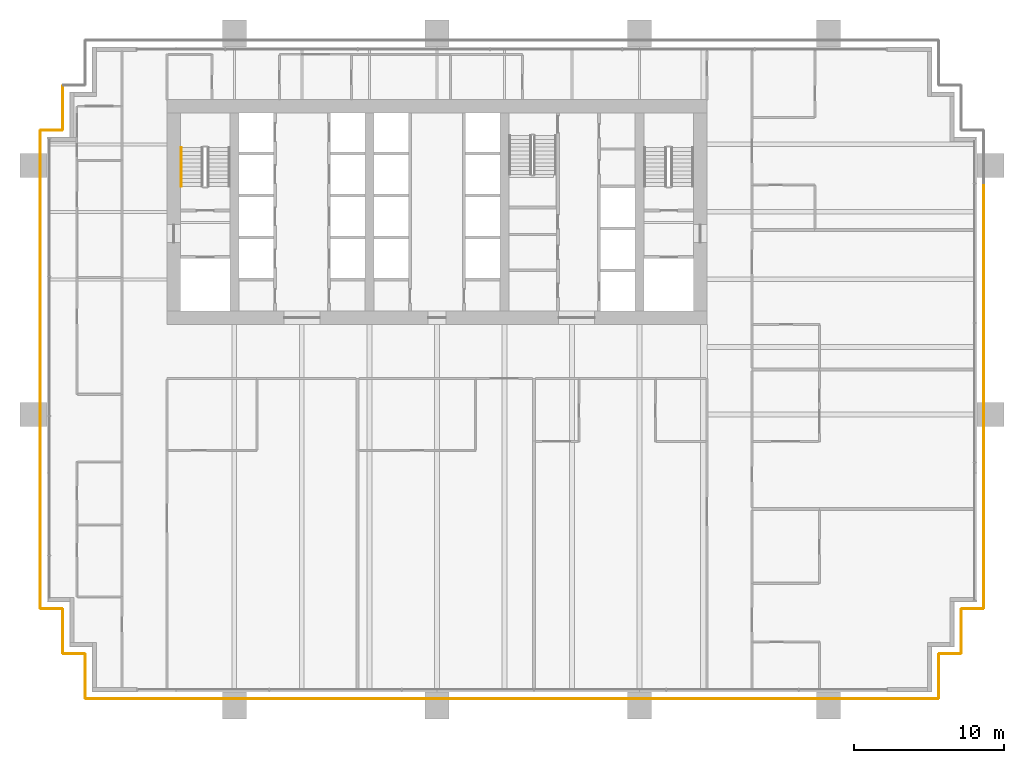
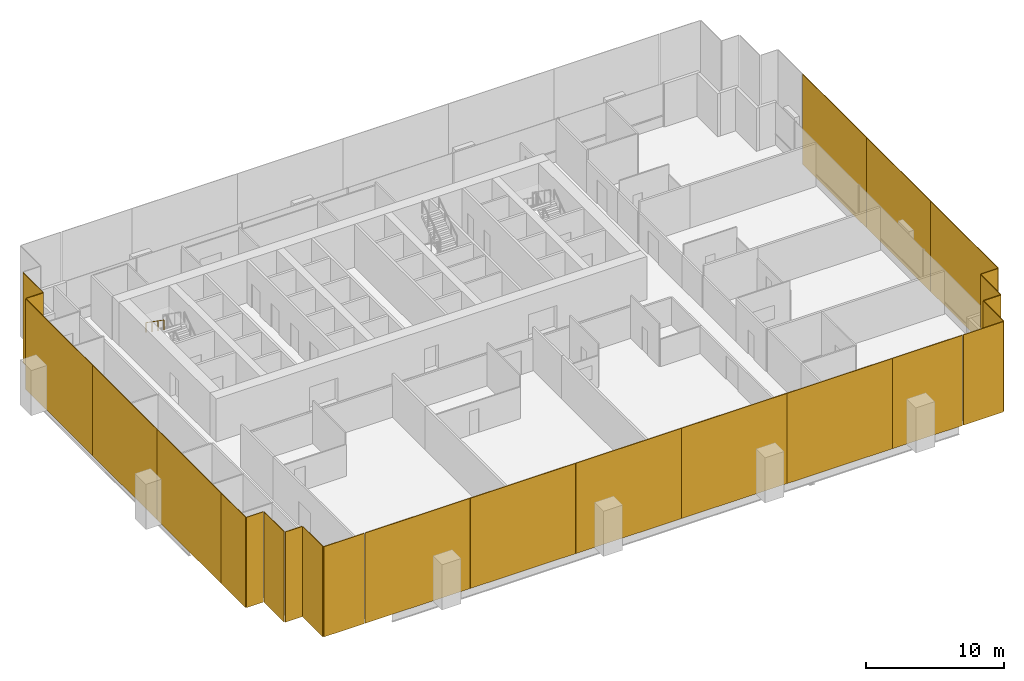
# One storey, part 17 of 19: 25 coverings, 1 railing.
"""IFC4 building model written with IfcOpenShell, lengths in metres."""

import ifcopenshell
import ifcopenshell.guid

model = None  # the IFC model being written
_history = None  # IfcOwnerHistory: only IFC2X3 demands one
_inside = {}  # id of a spatial element -> (the spatial element, [elements in it])
_under = {}  # id of a project, library or spatial element -> (it, [spatial elements below it])
_declared = {}  # id of a project -> (the project, [libraries it declares])
_typed = {}  # id of a type object -> (the type object, [elements of that type])
_made_of = {}  # id of a material, layer set ... -> (it, [elements and type objects made of it])


def new_model(schema):
    """Start an empty IFC model of exactly this schema.

    Asked for "IFC4X3", IfcOpenShell would pick the latest addendum, in which some entities
    have other attributes; the version numbers below select the first issue.
    IFC2X3 requires an IfcOwnerHistory on every rooted entity: one is made here for all.
    """
    global model, _history
    if schema == "IFC4X3":
        model = ifcopenshell.file(schema_version=(4, 3, 0, 0))
    else:
        model = ifcopenshell.file(schema=schema)
    _inside.clear()
    _under.clear()
    _declared.clear()
    _typed.clear()
    _made_of.clear()
    _history = None
    if model.schema == "IFC2X3":
        org = make("IfcOrganization", Name="unknown")
        user = make(
            "IfcPersonAndOrganization",
            ThePerson=make("IfcPerson", FamilyName="unknown"),
            TheOrganization=org,
        )
        app = make(
            "IfcApplication",
            ApplicationDeveloper=org,
            Version="unknown",
            ApplicationFullName="unknown",
            ApplicationIdentifier="unknown",
        )
        _history = make(
            "IfcOwnerHistory",
            OwningUser=user,
            OwningApplication=app,
            ChangeAction="ADDED",
            CreationDate=0,
        )
    return model


def make(cls, **values):
    """One entity of the class cls with the attributes given. An attribute that is None is left unset."""
    return model.create_entity(
        cls, **{name: value for name, value in values.items() if value is not None}
    )


def rooted(cls, **values):
    """An entity with a GlobalId (a new one), such as an element, a storey or a relation."""
    return make(cls, GlobalId=ifcopenshell.guid.new(), OwnerHistory=_history, **values)


def si_unit(unit_type, name, prefix=None):
    """IfcSIUnit, for example si_unit("LENGTHUNIT", "METRE", prefix="MILLI")."""
    return make("IfcSIUnit", UnitType=unit_type, Prefix=prefix, Name=name)


def assignment(units):
    """IfcUnitAssignment: the units of a project."""
    return None if units is None else make("IfcUnitAssignment", Units=units)


def point(xyz):
    """IfcCartesianPoint."""
    return None if xyz is None else make("IfcCartesianPoint", Coordinates=xyz)


def direction(xyz):
    """IfcDirection."""
    return None if xyz is None else make("IfcDirection", DirectionRatios=xyz)


def frame(location, z_axis=None, x_axis=None):
    """IfcAxis2Placement3D, a coordinate frame: its origin and axes. An axis left out is left unset."""
    return make(
        "IfcAxis2Placement3D",
        Location=point(location),
        Axis=direction(z_axis),
        RefDirection=direction(x_axis),
    )


def frame_2d(location, x_axis=None):
    """IfcAxis2Placement2D, a coordinate frame in the plane: its origin and x axis."""
    return make(
        "IfcAxis2Placement2D", Location=point(location), RefDirection=direction(x_axis)
    )


def origin():
    """The frame at (0, 0, 0) with its axes left unset."""
    return frame((0.0, 0.0, 0.0))


def origin_2d():
    """The frame at (0, 0) in the plane with its x axis left unset."""
    return frame_2d((0.0, 0.0))


def place(relative_to, where):
    """IfcLocalPlacement: puts the frame where relative to a parent placement (None: the world)."""
    return make(
        "IfcLocalPlacement", PlacementRelTo=relative_to, RelativePlacement=where
    )


def context(
    kind, dimensions, precision=None, world=None, true_north=None, identifier=None
):
    """IfcGeometricRepresentationContext, for example the 3D "Model" context."""
    return make(
        "IfcGeometricRepresentationContext",
        ContextIdentifier=identifier,
        ContextType=kind,
        CoordinateSpaceDimension=dimensions,
        Precision=precision,
        WorldCoordinateSystem=world,
        TrueNorth=true_north,
    )


def subcontext(parent, identifier, kind, view, scale=None):
    """IfcGeometricRepresentationSubContext, for example "Body" below "Model"."""
    return make(
        "IfcGeometricRepresentationSubContext",
        ContextIdentifier=identifier,
        ContextType=kind,
        ParentContext=parent,
        TargetScale=scale,
        TargetView=view,
    )


def project(units=None, contexts=None):
    """IfcProject with its units and contexts."""
    return rooted(
        "IfcProject",
        Name="project",
        RepresentationContexts=contexts,
        UnitsInContext=assignment(units),
    )


def spatial(cls, under=None, at=None, **own):
    """A site, building, storey or space (cls), placed at a placement, below another one or the project."""
    s = rooted(cls, ObjectPlacement=at, **own)
    if under is not None:
        _under.setdefault(under.id(), (under, []))[1].append(s)
    return s


def profile(cls, at=None, kind="AREA", **sizes):
    """A parametric profile (cls). Its sizes go by their IFC names, for example OverallWidth=200.0."""
    return make(cls, ProfileType=kind, Position=at, **sizes)


def rectangle(**sizes):
    """IfcRectangleProfileDef."""
    return profile("IfcRectangleProfileDef", **sizes)


def extrude(swept, where, along, depth):
    """IfcExtrudedAreaSolid: the profile swept, set in the frame where, extruded along a direction by depth."""
    return make(
        "IfcExtrudedAreaSolid",
        SweptArea=swept,
        Position=where,
        ExtrudedDirection=direction(along),
        Depth=depth,
    )


def shape(context_of_items, identifier, shape_type, items):
    """IfcShapeRepresentation: the items that make up one representation, for example the "Body"."""
    return make(
        "IfcShapeRepresentation",
        ContextOfItems=context_of_items,
        RepresentationIdentifier=identifier,
        RepresentationType=shape_type,
        Items=items,
    )


def material(Name=None, Category=None):
    """IfcMaterial."""
    return make("IfcMaterial", Name=Name, Category=Category)


def layer(
    of_material, thickness, ventilated=None, Name=None, Category=None, Priority=None
):
    """IfcMaterialLayer: one layer of a wall or slab, of a material (None: an air gap)."""
    return make(
        "IfcMaterialLayer",
        Material=of_material,
        LayerThickness=thickness,
        IsVentilated=ventilated,
        Name=Name,
        Category=Category,
        Priority=Priority,
    )


def layer_set(layers, Name=None):
    """IfcMaterialLayerSet."""
    return make("IfcMaterialLayerSet", MaterialLayers=layers, LayerSetName=Name)


def made_of(thing, what):
    """Note that an element or type object is made of a material, layer set ...; save() writes the relation."""
    if what is not None:
        _made_of.setdefault(what.id(), (what, []))[1].append(thing)
    return thing


def type_object(cls, material=None, **own):
    """A type object (cls), such as IfcWallType, which elements share."""
    return made_of(rooted(cls, **own), material)


def element(
    cls,
    number,
    at=None,
    inside=None,
    cuts=None,
    type_object=None,
    material=None,
    context=None,
    identifier="Body",
    shape_type=None,
    held_by="IfcProductDefinitionShape",
    body=None,
    shapes=None,
    **own,
):
    """One element of the class cls, such as IfcWall. Its Tag is "e" and its number.

    at: its placement. inside: the storey or other place that contains it. cuts: it is an
    opening in that element (IfcRelVoidsElement). A single representation is given by context,
    identifier, shape_type and body (its items); several are given by shapes. held_by: the class
    of the entity that holds the representations. save() writes the other relations.
    """
    e = rooted(cls, Tag="e%d" % number, ObjectPlacement=at, **own)
    if body is not None:
        shapes = [shape(context, identifier, shape_type, body)]
    if shapes is not None:
        e.Representation = make(held_by, Representations=shapes)
    if inside is not None:
        _inside.setdefault(inside.id(), (inside, []))[1].append(e)
    if cuts is not None:
        rooted(
            "IfcRelVoidsElement", RelatingBuildingElement=cuts, RelatedOpeningElement=e
        )
    if type_object is not None:
        _typed.setdefault(type_object.id(), (type_object, []))[1].append(e)
    return made_of(e, material)


def aggregate(whole, parts):
    """IfcRelAggregates: a whole, such as a stair, and the parts it consists of."""
    return rooted("IfcRelAggregates", RelatingObject=whole, RelatedObjects=parts)


def save(model, path):
    """Write the relations noted so far, then the file.

    IfcRelAggregates (storeys below a building ...), IfcRelContainedInSpatialStructure (elements
    in a storey), IfcRelDefinesByType, IfcRelAssociatesMaterial and IfcRelDeclares: one each for
    every whole, place, type object, material and project.
    """
    for whole, parts in _under.values():
        aggregate(whole, parts)
    for where, things in _inside.values():
        rooted(
            "IfcRelContainedInSpatialStructure",
            RelatedElements=things,
            RelatingStructure=where,
        )
    for kind, things in _typed.values():
        rooted("IfcRelDefinesByType", RelatedObjects=things, RelatingType=kind)
    for what, things in _made_of.values():
        rooted("IfcRelAssociatesMaterial", RelatedObjects=things, RelatingMaterial=what)
    for by, libraries in _declared.values():
        rooted("IfcRelDeclares", RelatingContext=by, RelatedDefinitions=libraries)
    model.write(path)


model = new_model("IFC4")

# Units and contexts
model_context = context("Model", 3, precision=1e-05, world=origin(), true_north=direction((0.0, 1.0)))
body_context = subcontext(model_context, "Body", "Model", "MODEL_VIEW")
ifc_project = project(units=[si_unit("LENGTHUNIT", "METRE"), si_unit("AREAUNIT", "SQUARE_METRE"), si_unit("VOLUMEUNIT", "CUBIC_METRE"), si_unit("PLANEANGLEUNIT", "RADIAN"), si_unit("MASSUNIT", "GRAM", prefix="KILO")], contexts=[model_context])

# Site, building, storey
site_placement = place(None, origin())
site = spatial("IfcSite", under=ifc_project, at=site_placement, CompositionType="ELEMENT")
building_placement = place(site_placement, origin())
building = spatial("IfcBuilding", under=site, at=building_placement, Name="Rattan Terrace Tower", CompositionType="ELEMENT")
storey_placement = place(building_placement, frame((0.0, 0.0, 103.699951171875)))
storey = spatial("IfcBuildingStorey", under=building, at=storey_placement, Name="L23", CompositionType="ELEMENT", Elevation=103.699951171875)

# Railing
ifc_material_1 = material(Name="Powder-coated steel handrail", Category="steel")
railing_type = type_object("IfcRailingType", Name="Core stair handrail", PredefinedType="HANDRAIL", material=ifc_material_1)
railing_placement = place(storey_placement, frame((-17.050048828125, 4.300048828125, 2.181884765625)))
element("IfcRailing", 1, at=railing_placement, inside=storey, type_object=railing_type, Name="L23 S1 stair handrail 2", PredefinedType="HANDRAIL", context=body_context, shape_type="SweptSolid", body=[
    extrude(rectangle(XDim=0.048095703125, YDim=0.048095703125, at=origin_2d()), frame((0.0, 0.0, 0.8759765625), z_axis=(0.0, -0.819521025635, 0.573049115296), x_axis=(1.0, 0.0, 0.0)), (0.0, 0.0, 1.0), 3.172607421875),
    extrude(rectangle(XDim=0.0419921875, YDim=0.0419921875, at=origin_2d()), origin(), (0.0, 0.0, 1.0), 0.851806640625),
    extrude(rectangle(XDim=0.0419921875, YDim=0.0419921875, at=origin_2d()), frame((0.0, -0.86669921875, 0.60595703125)), (0.0, 0.0, 1.0), 0.851806640625),
    extrude(rectangle(XDim=0.0419921875, YDim=0.0419921875, at=origin_2d()), frame((0.0, -1.7333984375, 1.212158203125)), (0.0, 0.0, 1.0), 0.851806640625),
    extrude(rectangle(XDim=0.0419921875, YDim=0.0419921875, at=origin_2d()), frame((0.0, -2.60009765625, 1.818115234375)), (0.0, 0.0, 1.0), 0.851806640625),
])

# Coverings
ifc_material_2 = material(Name="Perforated terracotta", Category="masonry")
ifc_layer = layer(ifc_material_2, 0.06005859375)
ifc_layer_set = layer_set([ifc_layer], Name="Facade Terracotta Screen Panel")
covering_type = type_object("IfcCoveringType", Name="Facade Terracotta Screen Panel", PredefinedType="CLADDING", material=ifc_layer_set)
covering_1_placement = place(storey_placement, frame((31.72509765625, -32.449951171875, -0.18994140625), z_axis=(0.0, 0.0, 1.0), x_axis=(1.0, 0.0, 0.0)))
element("IfcCovering", 2, at=covering_1_placement, inside=storey, type_object=covering_type, Name="OUTER SKIN panel L23-1", PredefinedType="CLADDING", context=body_context, shape_type="SweptSolid", body=[
    extrude(rectangle(XDim=3.3701171875, YDim=0.06005859375, at=origin_2d()), origin(), (0.0, 0.0, 1.0), 7.97998046875),
])
covering_2_placement = place(storey_placement, frame((33.449951171875, -30.949951171875, -0.18994140625), z_axis=(0.0, 0.0, 1.0), x_axis=(0.0, 1.0, 0.0)))
element("IfcCovering", 3, at=covering_2_placement, inside=storey, type_object=covering_type, Name="OUTER SKIN panel L23-2", PredefinedType="CLADDING", context=body_context, shape_type="SweptSolid", body=[
    extrude(rectangle(XDim=2.919921875, YDim=0.06005859375, at=origin_2d()), origin(), (0.0, 0.0, 1.0), 7.97998046875),
])
covering_3_placement = place(storey_placement, frame((34.199951171875, -29.449951171875, -0.18994140625), z_axis=(0.0, 0.0, 1.0), x_axis=(1.0, 0.0, 0.0)))
element("IfcCovering", 4, at=covering_3_placement, inside=storey, type_object=covering_type, Name="OUTER SKIN panel L23-3", PredefinedType="CLADDING", context=body_context, shape_type="SweptSolid", body=[
    extrude(rectangle(XDim=1.419921875, YDim=0.06005859375, at=origin_2d()), origin(), (0.0, 0.0, 1.0), 7.97998046875),
])
covering_4_placement = place(storey_placement, frame((34.949951171875, -27.949951171875, -0.18994140625), z_axis=(0.0, 0.0, 1.0), x_axis=(0.0, 1.0, 0.0)))
element("IfcCovering", 5, at=covering_4_placement, inside=storey, type_object=covering_type, Name="OUTER SKIN panel L23-4", PredefinedType="CLADDING", context=body_context, shape_type="SweptSolid", body=[
    extrude(rectangle(XDim=2.919921875, YDim=0.06005859375, at=origin_2d()), origin(), (0.0, 0.0, 1.0), 7.97998046875),
])
covering_5_placement = place(storey_placement, frame((35.699951171875, -26.449951171875, -0.18994140625), z_axis=(0.0, 0.0, 1.0), x_axis=(1.0, 0.0, 0.0)))
element("IfcCovering", 6, at=covering_5_placement, inside=storey, type_object=covering_type, Name="OUTER SKIN panel L23-5", PredefinedType="CLADDING", context=body_context, shape_type="SweptSolid", body=[
    extrude(rectangle(XDim=1.419921875, YDim=0.06005859375, at=origin_2d()), origin(), (0.0, 0.0, 1.0), 7.97998046875),
])
covering_6_placement = place(storey_placement, frame((36.449951171875, -21.56005859375, -0.18994140625), z_axis=(0.0, 0.0, 1.0), x_axis=(0.0, 1.0, 0.0)))
element("IfcCovering", 7, at=covering_6_placement, inside=storey, type_object=covering_type, Name="OUTER SKIN panel L23-6", PredefinedType="CLADDING", context=body_context, shape_type="SweptSolid", body=[
    extrude(rectangle(XDim=9.699951171875, YDim=0.06005859375, at=origin_2d()), origin(), (0.0, 0.0, 1.0), 7.97998046875),
])
for number, where, z_axis, x_axis, name in (
    (8, (36.449951171875, -12.050048828125, -0.18994140625), (0.0, 0.0, 1.0), (0.0, 1.0, 0.0), "OUTER SKIN panel L23-7"),
    (9, (36.449951171875, -2.75, -0.18994140625), (0.0, 0.0, 1.0), (0.0, 1.0, 0.0), "OUTER SKIN panel L23-8"),
):
    element("IfcCovering", number, at=place(storey_placement, frame(where, z_axis=z_axis, x_axis=x_axis)), inside=storey, type_object=covering_type, Name=name, PredefinedType="CLADDING", context=body_context, shape_type="SweptSolid", body=[
        extrude(rectangle(XDim=9.280029296875, YDim=0.06005859375, at=origin_2d()), origin(), (0.0, 0.0, 1.0), 7.97998046875),
    ])
covering_7_placement = place(storey_placement, frame((-24.949951171875, 6.949951171875, -0.18994140625), z_axis=(0.0, 0.0, 1.0), x_axis=(0.0, -1.0, 0.0)))
element("IfcCovering", 10, at=covering_7_placement, inside=storey, type_object=covering_type, Name="OUTER SKIN panel L23-24", PredefinedType="CLADDING", context=body_context, shape_type="SweptSolid", body=[
    extrude(rectangle(XDim=2.919921875, YDim=0.06005859375, at=origin_2d()), origin(), (0.0, 0.0, 1.0), 7.97998046875),
])
covering_8_placement = place(storey_placement, frame((-25.699951171875, 5.449951171875, -0.18994140625), z_axis=(0.0, 0.0, 1.0), x_axis=(-1.0, 0.0, 0.0)))
element("IfcCovering", 11, at=covering_8_placement, inside=storey, type_object=covering_type, Name="OUTER SKIN panel L23-25", PredefinedType="CLADDING", context=body_context, shape_type="SweptSolid", body=[
    extrude(rectangle(XDim=1.419921875, YDim=0.06005859375, at=origin_2d()), origin(), (0.0, 0.0, 1.0), 7.97998046875),
])
covering_9_placement = place(storey_placement, frame((-26.449951171875, 0.56005859375, -0.18994140625), z_axis=(0.0, 0.0, 1.0), x_axis=(0.0, -1.0, 0.0)))
element("IfcCovering", 12, at=covering_9_placement, inside=storey, type_object=covering_type, Name="OUTER SKIN panel L23-26", PredefinedType="CLADDING", context=body_context, shape_type="SweptSolid", body=[
    extrude(rectangle(XDim=9.699951171875, YDim=0.06005859375, at=origin_2d()), origin(), (0.0, 0.0, 1.0), 7.97998046875),
])
for number, where, z_axis, x_axis, name in (
    (13, (-26.449951171875, -8.949951171875, -0.18994140625), (0.0, 0.0, 1.0), (0.0, -1.0, 0.0), "OUTER SKIN panel L23-27"),
    (14, (-26.449951171875, -18.25, -0.18994140625), (0.0, 0.0, 1.0), (0.0, -1.0, 0.0), "OUTER SKIN panel L23-28"),
):
    element("IfcCovering", number, at=place(storey_placement, frame(where, z_axis=z_axis, x_axis=x_axis)), inside=storey, type_object=covering_type, Name=name, PredefinedType="CLADDING", context=body_context, shape_type="SweptSolid", body=[
        extrude(rectangle(XDim=9.280029296875, YDim=0.06005859375, at=origin_2d()), origin(), (0.0, 0.0, 1.0), 7.97998046875),
    ])
covering_10_placement = place(storey_placement, frame((-26.449951171875, -24.659912109375, -0.18994140625), z_axis=(0.0, 0.0, 1.0), x_axis=(0.0, -1.0, 0.0)))
element("IfcCovering", 15, at=covering_10_placement, inside=storey, type_object=covering_type, Name="OUTER SKIN panel L23-29", PredefinedType="CLADDING", context=body_context, shape_type="SweptSolid", body=[
    extrude(rectangle(XDim=3.5, YDim=0.06005859375, at=origin_2d()), origin(), (0.0, 0.0, 1.0), 7.97998046875),
])
covering_11_placement = place(storey_placement, frame((-25.699951171875, -26.449951171875, -0.18994140625), z_axis=(0.0, 0.0, 1.0), x_axis=(1.0, 0.0, 0.0)))
element("IfcCovering", 16, at=covering_11_placement, inside=storey, type_object=covering_type, Name="OUTER SKIN panel L23-30", PredefinedType="CLADDING", context=body_context, shape_type="SweptSolid", body=[
    extrude(rectangle(XDim=1.419921875, YDim=0.06005859375, at=origin_2d()), origin(), (0.0, 0.0, 1.0), 7.97998046875),
])
covering_12_placement = place(storey_placement, frame((-24.949951171875, -27.949951171875, -0.18994140625), z_axis=(0.0, 0.0, 1.0), x_axis=(0.0, -1.0, 0.0)))
element("IfcCovering", 17, at=covering_12_placement, inside=storey, type_object=covering_type, Name="OUTER SKIN panel L23-31", PredefinedType="CLADDING", context=body_context, shape_type="SweptSolid", body=[
    extrude(rectangle(XDim=2.919921875, YDim=0.06005859375, at=origin_2d()), origin(), (0.0, 0.0, 1.0), 7.97998046875),
])
covering_13_placement = place(storey_placement, frame((-24.199951171875, -29.449951171875, -0.18994140625), z_axis=(0.0, 0.0, 1.0), x_axis=(1.0, 0.0, 0.0)))
element("IfcCovering", 18, at=covering_13_placement, inside=storey, type_object=covering_type, Name="OUTER SKIN panel L23-32", PredefinedType="CLADDING", context=body_context, shape_type="SweptSolid", body=[
    extrude(rectangle(XDim=1.419921875, YDim=0.06005859375, at=origin_2d()), origin(), (0.0, 0.0, 1.0), 7.97998046875),
])
covering_14_placement = place(storey_placement, frame((-23.449951171875, -30.949951171875, -0.18994140625), z_axis=(0.0, 0.0, 1.0), x_axis=(0.0, -1.0, 0.0)))
element("IfcCovering", 19, at=covering_14_placement, inside=storey, type_object=covering_type, Name="OUTER SKIN panel L23-33", PredefinedType="CLADDING", context=body_context, shape_type="SweptSolid", body=[
    extrude(rectangle(XDim=2.919921875, YDim=0.06005859375, at=origin_2d()), origin(), (0.0, 0.0, 1.0), 7.97998046875),
])
covering_15_placement = place(storey_placement, frame((-21.72509765625, -32.449951171875, -0.18994140625), z_axis=(0.0, 0.0, 1.0), x_axis=(1.0, 0.0, 0.0)))
element("IfcCovering", 20, at=covering_15_placement, inside=storey, type_object=covering_type, Name="OUTER SKIN panel L23-34", PredefinedType="CLADDING", context=body_context, shape_type="SweptSolid", body=[
    extrude(rectangle(XDim=3.3701171875, YDim=0.06005859375, at=origin_2d()), origin(), (0.0, 0.0, 1.0), 7.97998046875),
])
covering_16_placement = place(storey_placement, frame((-15.573486328125, -32.449951171875, -0.18994140625), z_axis=(0.0, 0.0, 1.0), x_axis=(1.0, 0.0, 0.0)))
element("IfcCovering", 21, at=covering_16_placement, inside=storey, type_object=covering_type, Name="OUTER SKIN panel L23-35", PredefinedType="CLADDING", context=body_context, shape_type="SweptSolid", body=[
    extrude(rectangle(XDim=8.77294921875, YDim=0.06005859375, at=origin_2d()), origin(), (0.0, 0.0, 1.0), 7.97998046875),
])
for number, where, z_axis, x_axis, name in (
    (22, (-6.765380859375, -32.449951171875, -0.18994140625), (0.0, 0.0, 1.0), (1.0, 0.0, 0.0), "OUTER SKIN panel L23-36"),
    (23, (2.0576171875, -32.449951171875, -0.18994140625), (0.0, 0.0, 1.0), (1.0, 0.0, 0.0), "OUTER SKIN panel L23-37"),
    (24, (10.880615234375, -32.449951171875, -0.18994140625), (0.0, 0.0, 1.0), (1.0, 0.0, 0.0), "OUTER SKIN panel L23-38"),
    (25, (19.70361328125, -32.449951171875, -0.18994140625), (0.0, 0.0, 1.0), (1.0, 0.0, 0.0), "OUTER SKIN panel L23-39"),
):
    element("IfcCovering", number, at=place(storey_placement, frame(where, z_axis=z_axis, x_axis=x_axis)), inside=storey, type_object=covering_type, Name=name, PredefinedType="CLADDING", context=body_context, shape_type="SweptSolid", body=[
        extrude(rectangle(XDim=8.802978515625, YDim=0.06005859375, at=origin_2d()), origin(), (0.0, 0.0, 1.0), 7.97998046875),
    ])
covering_17_placement = place(storey_placement, frame((27.04248046875, -32.449951171875, -0.18994140625), z_axis=(0.0, 0.0, 1.0), x_axis=(1.0, 0.0, 0.0)))
element("IfcCovering", 26, at=covering_17_placement, inside=storey, type_object=covering_type, Name="OUTER SKIN panel L23-40", PredefinedType="CLADDING", context=body_context, shape_type="SweptSolid", body=[
    extrude(rectangle(XDim=5.8349609375, YDim=0.06005859375, at=origin_2d()), origin(), (0.0, 0.0, 1.0), 7.97998046875),
])

save(model, "model.ifc")
